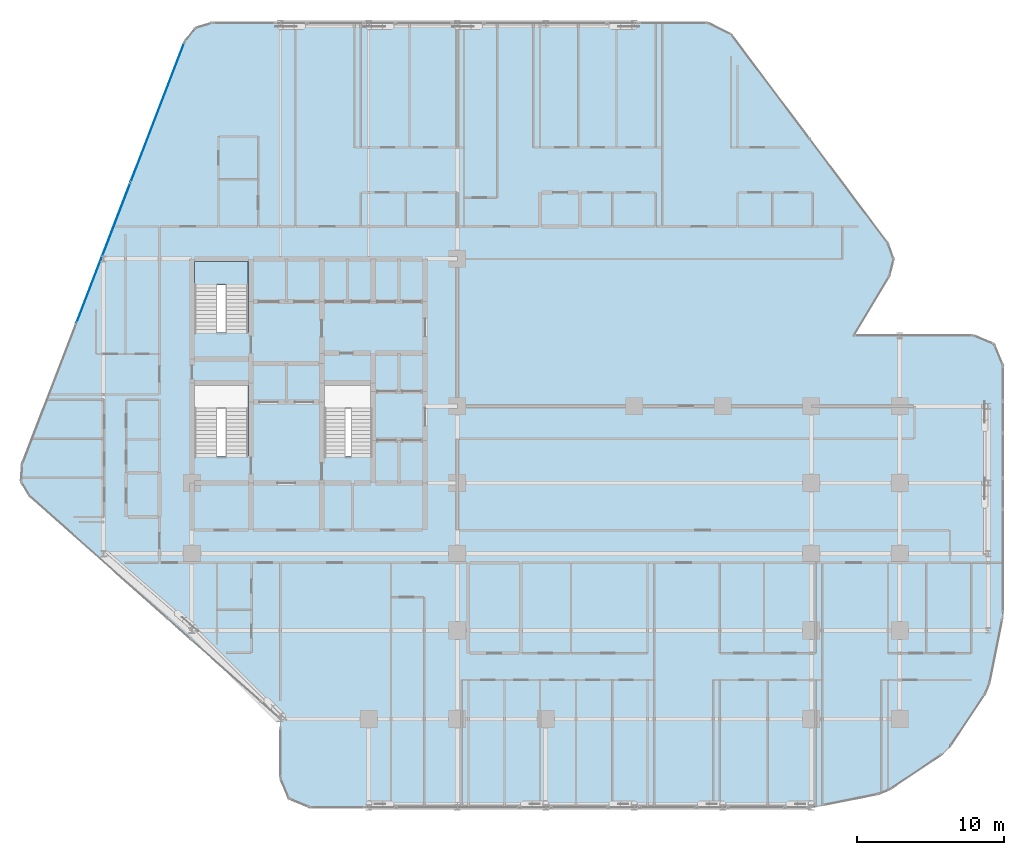
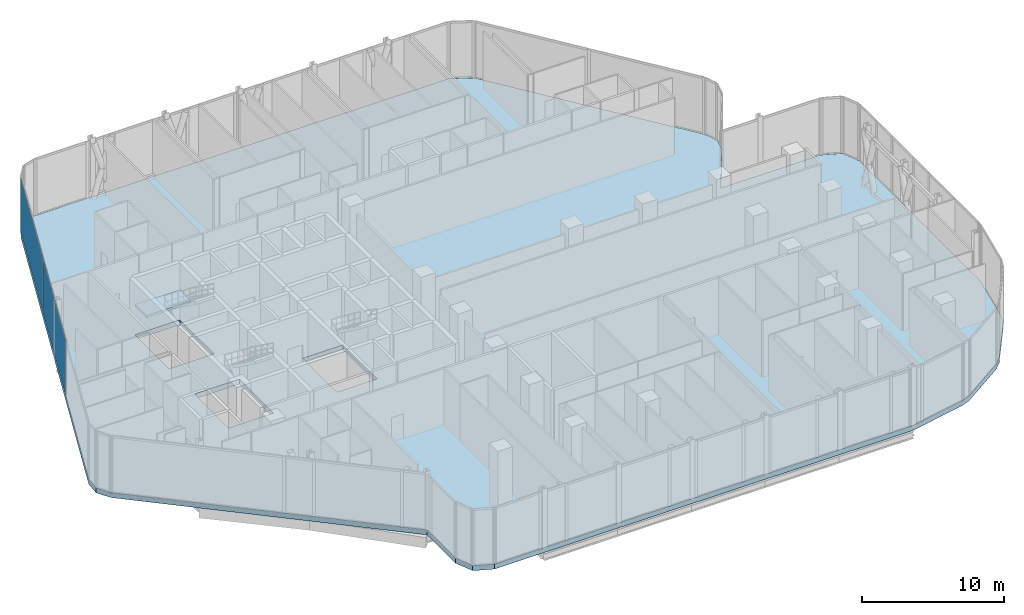
# One storey, part 24 of 36: 2 plates, 2 slabs, 2 elements without a shape of their own.
"""IFC4 building model written with IfcOpenShell, lengths in metres."""

from ifc_helpers import new_model, si_unit, direction, frame, origin, origin_2d, place, context, subcontext, project, spatial, polyline, rectangle, outline, extrude, material, layer, layer_set, type_object, element, aggregate, save


model = new_model("IFC4")

# Units and contexts
model_context = context("Model", 3, precision=1e-05, world=origin(), true_north=direction((0.0, 1.0)))
body_context = subcontext(model_context, "Body", "Model", "MODEL_VIEW")
ifc_project = project(units=[si_unit("LENGTHUNIT", "METRE"), si_unit("AREAUNIT", "SQUARE_METRE"), si_unit("VOLUMEUNIT", "CUBIC_METRE"), si_unit("PLANEANGLEUNIT", "RADIAN"), si_unit("MASSUNIT", "GRAM", prefix="KILO")], contexts=[model_context])

# Site, building, storey
site_placement = place(None, origin())
site = spatial("IfcSite", under=ifc_project, at=site_placement, CompositionType="ELEMENT")
building_placement = place(site_placement, origin())
building = spatial("IfcBuilding", under=site, at=building_placement, Name="Keshet Zoharim Tower", CompositionType="ELEMENT")
storey_placement = place(building_placement, frame((0.0, 0.0, 81.199951171875)))
storey = spatial("IfcBuildingStorey", under=building, at=storey_placement, Name="L19", CompositionType="ELEMENT", Elevation=81.199951171875)

# Curtain wall, plates
ifc_material_1 = material(Name="Aluminium 6063-T6", Category="aluminium")
ifc_layer_1 = layer(ifc_material_1, 0.179931640625)
ifc_layer_set_1 = layer_set([ifc_layer_1], Name="Aluminium 6063-T6")
curtain_wall_type = type_object("IfcCurtainWallType", Name="CW-SYS-01", PredefinedType="NOTDEFINED", material=ifc_layer_set_1)
curtain_wall_placement = place(storey_placement, origin())
curtain_wall = element("IfcCurtainWall", 1, at=curtain_wall_placement, inside=storey, type_object=curtain_wall_type, Name="L19 Unitised Curtain Wall 04", PredefinedType="NOTDEFINED")
ifc_material_2 = material(Name="Insulated Low-E Clear Glass", Category="glass")
ifc_layer_2 = layer(ifc_material_2, 0.035888671875)
ifc_layer_set_2 = layer_set([ifc_layer_2], Name="Insulated Low-E Clear Glass")
plate_type = type_object("IfcPlateType", Name="CWP-01", PredefinedType="CURTAIN_PANEL", material=ifc_layer_set_2)
plate_1_placement = place(storey_placement, frame((9.001953125, 38.305419921875, 0.070068359375), z_axis=(0.0, 0.0, 1.0), x_axis=(0.358990003907, 0.933341404361, 0.0)))
plate_1 = element("IfcPlate", 2, at=plate_1_placement, type_object=plate_type, Name="CW-01 panel 2.1", PredefinedType="CURTAIN_PANEL", context=body_context, shape_type="SweptSolid", body=[
    extrude(rectangle(XDim=10.153076171875, YDim=0.035888671875, at=origin_2d()), origin(), (0.0, 0.0, 1.0), 4.7451171875),
])
plate_2_placement = place(storey_placement, frame((12.665771484375, 47.830810546875, 0.070068359375), z_axis=(0.0, 0.0, 1.0), x_axis=(0.358990003907, 0.933341404361, 0.0)))
plate_2 = element("IfcPlate", 3, at=plate_2_placement, type_object=plate_type, Name="CW-01 panel 3.1", PredefinedType="CURTAIN_PANEL", context=body_context, shape_type="SweptSolid", body=[
    extrude(rectangle(XDim=10.1181640625, YDim=0.035888671875, at=origin_2d()), origin(), (0.0, 0.0, 1.0), 4.7451171875),
])
aggregate(curtain_wall, [plate_1, plate_2])

# Stair, slab
ifc_material_3 = material(Name="Concrete C50/60", Category="concrete")
stair_type = type_object("IfcStairType", Name="STR-EXIT-135", PredefinedType="HALF_TURN_STAIR", material=ifc_material_3)
stair_placement = place(storey_placement, origin())
stair = element("IfcStair", 4, at=stair_placement, inside=storey, type_object=stair_type, Name="L19 Enclosed Exit Stair ST-02", PredefinedType="HALF_TURN_STAIR")
ifc_layer_3 = layer(ifc_material_3, 0.199951171875)
ifc_layer_set_3 = layer_set([ifc_layer_3], Name="Concrete C50/60")
slab_type_1 = type_object("IfcSlabType", Name="SLB-LND-200", PredefinedType="LANDING", material=ifc_layer_set_3)
slab_1_placement = place(storey_placement, frame((0.0, 0.0, 2.400146484375)))
slab_1 = element("IfcSlab", 5, at=slab_1_placement, type_object=slab_type_1, Name="ST-02 landing 1", PredefinedType="LANDING", context=body_context, shape_type="SweptSolid", body=[
    extrude(outline(polyline([(15.179931640625, 36.114013671875), (18.820068359375, 36.114013671875), (18.820068359375, 37.719970703125), (15.179931640625, 37.719970703125), (15.179931640625, 36.114013671875)])), origin(), (0.0, 0.0, 1.0), 0.199951171875),
])
aggregate(stair, [slab_1])

# Slab
ifc_material_4 = material(Name="Concrete C60/75", Category="concrete")
ifc_layer_4 = layer(ifc_material_4, 0.419921875)
ifc_layer_set_4 = layer_set([ifc_layer_4], Name="Concrete C60/75")
slab_type_2 = type_object("IfcSlabType", Name="SLB-XFER-350", PredefinedType="FLOOR", material=ifc_layer_set_4)
slab_2_placement = place(storey_placement, frame((0.0, 0.0, -0.419921875)))
element("IfcSlab", 6, at=slab_2_placement, inside=storey, type_object=slab_type_2, Name="L19 Structural Floor Slab 1", PredefinedType="FLOOR", context=body_context, shape_type="SweptSolid", body=[
    extrude(outline(polyline([(21.0, 6.699951171875), (4.034912109375, 21.780029296875), (3.419921875, 22.802001953125), (3.4970703125, 23.992919921875), (14.507080078125, 52.617919921875), (15.240966796875, 53.549072265625), (16.3740234375, 53.89990234375), (50.0, 53.89990234375), (51.60009765625, 53.10009765625), (62.193115234375, 38.97607421875), (62.590087890625, 37.87890625), (62.30810546875, 36.7470703125), (59.8798828125, 32.699951171875), (68.0, 32.699951171875), (69.4140625, 32.114013671875), (70.0, 30.699951171875), (70.0, 13.89697265625), (69.9619140625, 13.507080078125), (69.087890625, 9.114990234375), (68.7890625, 8.39404296875), (66.4130859375, 4.837890625), (65.862060546875, 4.287109375), (62.305908203125, 1.910888671875), (61.5849609375, 1.612060546875), (57.193115234375, 0.738037109375), (56.802978515625, 0.699951171875), (23.0, 0.699951171875), (21.5859375, 1.285888671875), (21.0, 2.699951171875), (21.0, 6.699951171875)]), holes=[polyline([(15.179931640625, 24.52001953125), (18.820068359375, 24.52001953125), (18.820068359375, 29.320068359375), (15.179931640625, 29.320068359375), (15.179931640625, 24.52001953125)]), polyline([(15.179931640625, 32.919921875), (18.820068359375, 32.919921875), (18.820068359375, 37.719970703125), (15.179931640625, 37.719970703125), (15.179931640625, 32.919921875)]), polyline([(23.97998046875, 24.52001953125), (27.219970703125, 24.52001953125), (27.219970703125, 29.320068359375), (23.97998046875, 29.320068359375), (23.97998046875, 24.52001953125)])]), origin(), (0.0, 0.0, 1.0), 0.419921875),
])

save(model, "model.ifc")
